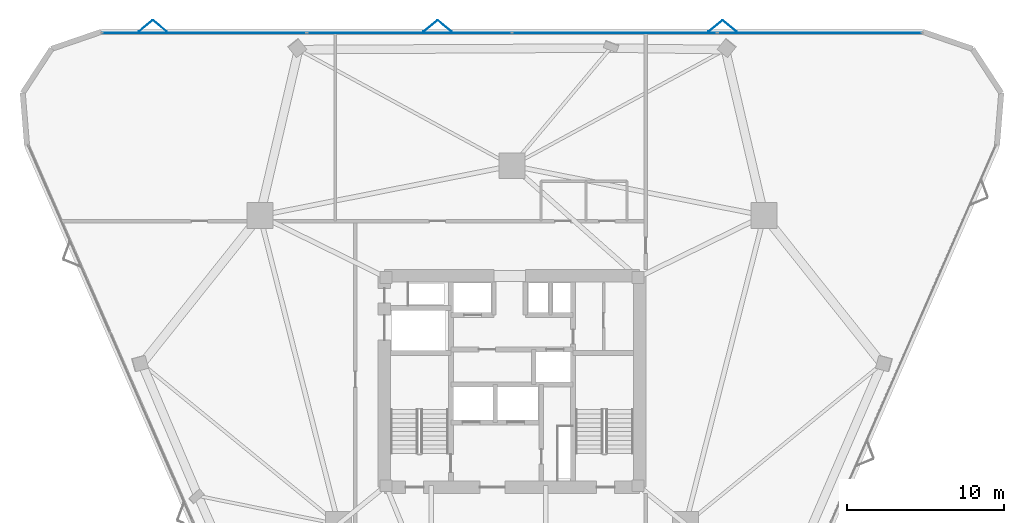
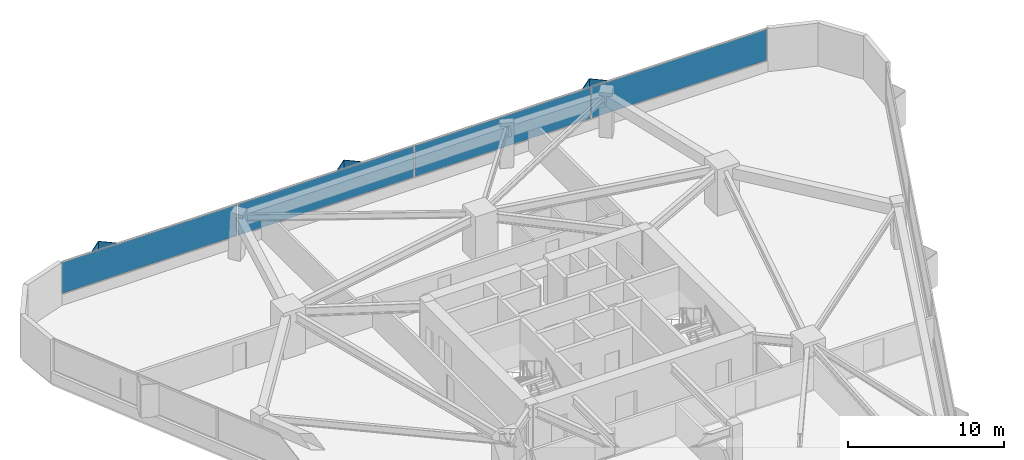
# One storey, part 13 of 18: 10 plates, 1 element without a shape of its own.
"""IFC4 building model written with IfcOpenShell, lengths in metres."""

from ifc_helpers import new_model, si_unit, direction, frame, origin, origin_2d, place, context, subcontext, project, spatial, rectangle, extrude, material, layer, layer_set, type_object, element, aggregate, save


model = new_model("IFC4")

# Units and contexts
model_context = context("Model", 3, precision=1e-05, world=origin(), true_north=direction((0.0, 1.0)))
body_context = subcontext(model_context, "Body", "Model", "MODEL_VIEW")
ifc_project = project(units=[si_unit("LENGTHUNIT", "METRE"), si_unit("AREAUNIT", "SQUARE_METRE"), si_unit("VOLUMEUNIT", "CUBIC_METRE"), si_unit("PLANEANGLEUNIT", "RADIAN"), si_unit("MASSUNIT", "GRAM", prefix="KILO")], contexts=[model_context])

# Site, building, storey
site_placement = place(None, origin())
site = spatial("IfcSite", under=ifc_project, at=site_placement, CompositionType="ELEMENT")
building_placement = place(site_placement, origin())
building = spatial("IfcBuilding", under=site, at=building_placement, Name="Talyreon Biosciences Tower", CompositionType="ELEMENT")
storey_placement = place(building_placement, frame((0.0, 0.0, 89.60009765625)))
storey = spatial("IfcBuildingStorey", under=building, at=storey_placement, Name="L23", CompositionType="ELEMENT", Elevation=89.60009765625)

# Curtain wall, plates
ifc_material_1 = material(Name="Thermally broken aluminium and low-E glazing", Category="aluminium")
ifc_layer_1 = layer(ifc_material_1, 0.18994140625)
ifc_layer_set_1 = layer_set([ifc_layer_1], Name="Thermally broken aluminium and low-E glazing")
curtain_wall_type = type_object("IfcCurtainWallType", Name="CurtainWall_Zone2Genomics", PredefinedType="NOTDEFINED", material=ifc_layer_set_1)
curtain_wall_placement = place(storey_placement, origin())
curtain_wall = element("IfcCurtainWall", 1, at=curtain_wall_placement, inside=storey, type_object=curtain_wall_type, Name="L23 Unitised Curtain Wall FCW-L23-04", PredefinedType="NOTDEFINED")
ifc_material_2 = material(Name="Triple-silver low-E insulated glazing", Category="glass")
ifc_layer_2 = layer(ifc_material_2, 0.031982421875)
ifc_layer_set_2 = layer_set([ifc_layer_2], Name="Triple-silver low-E insulated glazing")
plate_type_1 = type_object("IfcPlateType", Name="CWGlazingPanel_32", PredefinedType="CURTAIN_PANEL", material=ifc_layer_set_2)
plate_1_placement = place(storey_placement, frame((46.351806640625, 90.2734375, 0.874755859375), z_axis=(0.0, 0.0, 1.0), x_axis=(1.0, 0.0, 0.0)))
plate_1 = element("IfcPlate", 2, at=plate_1_placement, type_object=plate_type_1, Name="CW3 panel 1.1", PredefinedType="CURTAIN_PANEL", context=body_context, shape_type="SweptSolid", body=[
    extrude(rectangle(XDim=13.01220703125, YDim=0.031982421875, at=origin_2d()), origin(), (0.0, 0.0, 1.0), 2.43505859375),
])
plate_2_placement = place(storey_placement, frame((59.445068359375, 90.2734375, 0.874755859375), z_axis=(0.0, 0.0, 1.0), x_axis=(1.0, 0.0, 0.0)))
plate_2 = element("IfcPlate", 3, at=plate_2_placement, type_object=plate_type_1, Name="CW3 panel 2.1", PredefinedType="CURTAIN_PANEL", context=body_context, shape_type="SweptSolid", body=[
    extrude(rectangle(XDim=13.044677734375, YDim=0.031982421875, at=origin_2d()), origin(), (0.0, 0.0, 1.0), 2.43505859375),
])
plate_3_placement = place(storey_placement, frame((72.554931640625, 90.2734375, 0.874755859375), z_axis=(0.0, 0.0, 1.0), x_axis=(1.0, 0.0, 0.0)))
plate_3 = element("IfcPlate", 4, at=plate_3_placement, type_object=plate_type_1, Name="CW3 panel 3.1", PredefinedType="CURTAIN_PANEL", context=body_context, shape_type="SweptSolid", body=[
    extrude(rectangle(XDim=13.044677734375, YDim=0.031982421875, at=origin_2d()), origin(), (0.0, 0.0, 1.0), 2.43505859375),
])
plate_4_placement = place(storey_placement, frame((85.648193359375, 90.2734375, 0.874755859375), z_axis=(0.0, 0.0, 1.0), x_axis=(1.0, 0.0, 0.0)))
plate_4 = element("IfcPlate", 5, at=plate_4_placement, type_object=plate_type_1, Name="CW3 panel 4.1", PredefinedType="CURTAIN_PANEL", context=body_context, shape_type="SweptSolid", body=[
    extrude(rectangle(XDim=13.01220703125, YDim=0.031982421875, at=origin_2d()), origin(), (0.0, 0.0, 1.0), 2.43505859375),
])
aggregate(curtain_wall, [plate_1, plate_2, plate_3, plate_4])

# Plates
ifc_material_3 = material(Name="Ivory GFRC sunshade panel", Category="concrete")
ifc_layer_3 = layer(ifc_material_3, 0.044921875)
ifc_layer_set_3 = layer_set([ifc_layer_3], Name="Ivory GFRC sunshade panel")
plate_type_2 = type_object("IfcPlateType", Name="FoldedVSunshade_NorthFace_SUNSHADE", PredefinedType="USERDEFINED", material=ifc_layer_set_3)
for number, where, z_axis, x_axis, name in (
    (6, (42.6005859375, 90.71337890625, 0.7900390625), (0.0, 0.0, 1.0), (0.771624583388, 0.636078220278, 0.0), "L23 Folded V-Sunshade Panel 04.01L"),
    (7, (43.500732421875, 90.71337890625, 0.7900390625), (0.0, 0.0, 1.0), (0.771624583388, -0.636078220278, 0.0), "L23 Folded V-Sunshade Panel 04.01R"),
    (8, (60.80078125, 90.71337890625, 0.7900390625), (0.0, 0.0, 1.0), (0.771624583388, 0.636078220278, 0.0), "L23 Folded V-Sunshade Panel 04.02L"),
    (9, (61.70068359375, 90.71337890625, 0.7900390625), (0.0, 0.0, 1.0), (0.771624583388, -0.636078220278, 0.0), "L23 Folded V-Sunshade Panel 04.02R"),
    (10, (79.000732421875, 90.71337890625, 0.7900390625), (0.0, 0.0, 1.0), (0.771624583388, 0.636078220278, 0.0), "L23 Folded V-Sunshade Panel 04.03L"),
    (11, (79.900634765625, 90.71337890625, 0.7900390625), (0.0, 0.0, 1.0), (0.771624583388, -0.636078220278, 0.0), "L23 Folded V-Sunshade Panel 04.03R"),
):
    element("IfcPlate", number, at=place(storey_placement, frame(where, z_axis=z_axis, x_axis=x_axis)), inside=storey, type_object=plate_type_2, Name=name, ObjectType="SUNSHADE", PredefinedType="USERDEFINED", context=body_context, shape_type="SweptSolid", body=[
        extrude(rectangle(XDim=1.14990234375, YDim=0.044921875, at=origin_2d()), origin(), (0.0, 0.0, 1.0), 2.5849609375),
    ])

save(model, "model.ifc")
